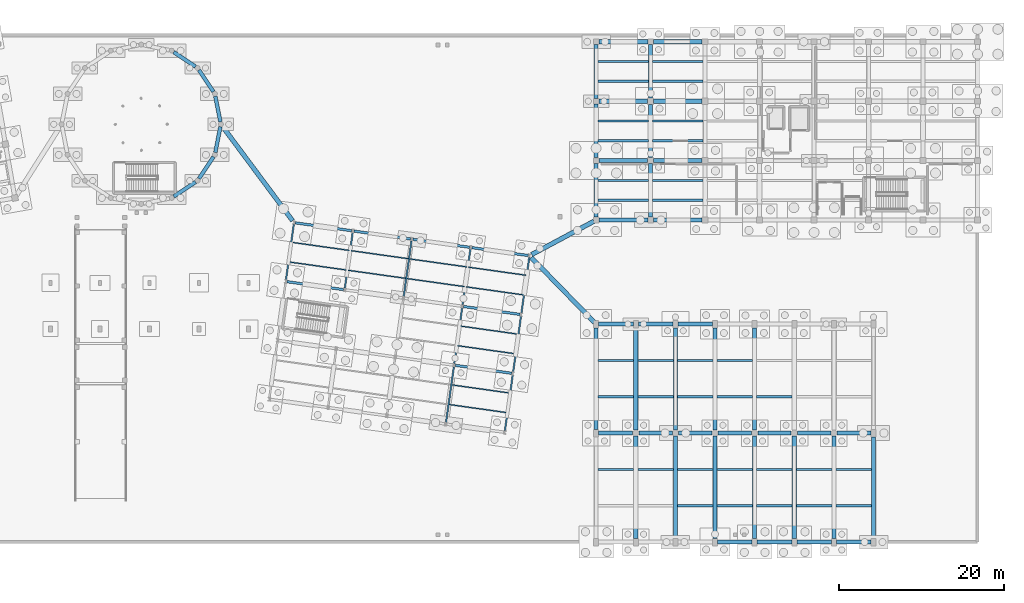
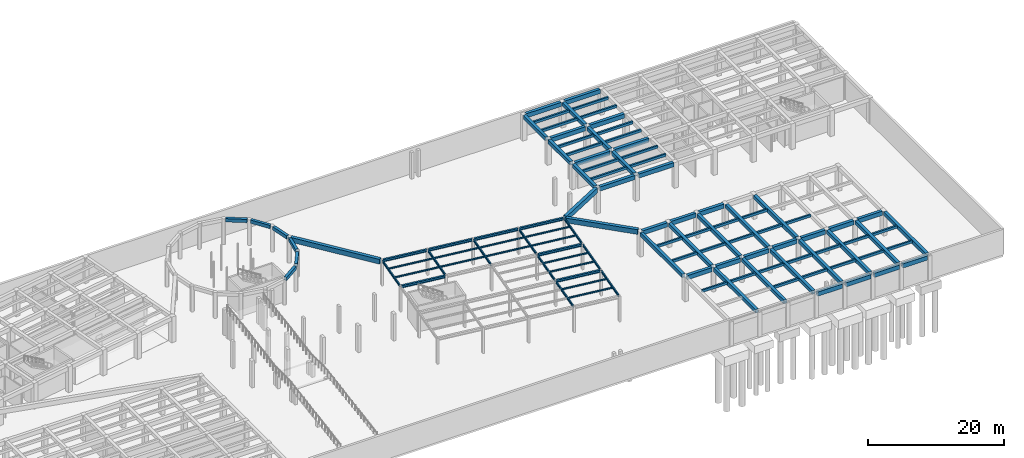
# One storey, part 19 of 34: 110 beams.
"""IFC4 building model written with IfcOpenShell, lengths in metres."""

from ifc_helpers import new_model, si_unit, direction, frame, origin, origin_2d, place, context, subcontext, project, spatial, rectangle, i_section, extrude, material, material_profile, profile_set, type_object, element, save


model = new_model("IFC4")

# Units and contexts
model_context = context("Model", 3, precision=1e-05, world=origin(), true_north=direction((0.0, 1.0)))
body_context = subcontext(model_context, "Body", "Model", "MODEL_VIEW")
ifc_project = project(units=[si_unit("LENGTHUNIT", "METRE"), si_unit("AREAUNIT", "SQUARE_METRE"), si_unit("VOLUMEUNIT", "CUBIC_METRE"), si_unit("PLANEANGLEUNIT", "RADIAN"), si_unit("MASSUNIT", "GRAM", prefix="KILO")], contexts=[model_context])

# Site, building, storey
site_placement = place(None, origin())
site = spatial("IfcSite", under=ifc_project, at=site_placement, CompositionType="ELEMENT")
building_placement = place(site_placement, origin())
building = spatial("IfcBuilding", under=site, at=building_placement, Name="Kharisveld Research Institute", CompositionType="ELEMENT")
storey_placement = place(building_placement, frame((0.0, 0.0, -4.800048828125)))
storey = spatial("IfcBuildingStorey", under=building, at=storey_placement, Name="B1", CompositionType="ELEMENT", Elevation=-4.800048828125)

# Beams
ifc_material_1 = material(Name="Concrete C40/50", Category="concrete")
ifc_material_profile_1 = material_profile(ifc_material_1, rectangle(XDim=0.449951171875, YDim=0.60009765625, at=origin_2d()))
ifc_profile_set_1 = profile_set([ifc_material_profile_1], Name="Concrete C40/50")
beam_type_1 = type_object("IfcBeamType", Name="BM_RC_450x600", PredefinedType="BEAM", material=ifc_profile_set_1)
beam_1_placement = place(storey_placement, frame((69.091552734375, 51.09423828125, 4.320068359375), z_axis=(-0.1951370888, 0.980775976752, 0.0), x_axis=(-0.980775976752, -0.1951370888, 0.0)))
element("IfcBeam", 1, at=beam_1_placement, inside=storey, type_object=beam_type_1, Name="BM:V6:B1:RING00", PredefinedType="BEAM", context=body_context, shape_type="SweptSolid", body=[
    extrude(rectangle(XDim=0.449951171875, YDim=0.60009765625, at=origin_2d()), origin(), (0.0, 0.0, 1.0), 3.165283203125),
])
beam_2_placement = place(storey_placement, frame((68.248779296875, 54.742431640625, 4.320068359375), z_axis=(-0.555607692678, 0.831444581338, 0.0), x_axis=(-0.831444581338, -0.555607692678, 0.0)))
element("IfcBeam", 2, at=beam_2_placement, inside=storey, type_object=beam_type_1, Name="BM:V6:B1:RING01", PredefinedType="BEAM", context=body_context, shape_type="SweptSolid", body=[
    extrude(rectangle(XDim=0.449951171875, YDim=0.60009765625, at=origin_2d()), origin(), (0.0, 0.0, 1.0), 3.1650390625),
])
for number, where, z_axis, x_axis, name in (
    (3, (66.07421875, 57.790283203125, 4.320068359375), (-0.831468390799, 0.555572061125, 0.0), (-0.555572061125, -0.831468390799, 0.0), "BM:V6:B1:RING02"),
    (4, (63.4423828125, 42.05126953125, 4.320068359375), (0.831468390799, 0.555572061125, 0.0), (-0.555572061125, 0.831468390799, 0.0), "BM:V6:B1:RING13"),
    (5, (66.490234375, 44.225830078125, 4.320068359375), (0.555572061125, 0.831468390799, 0.0), (-0.831468390799, 0.555572061125, 0.0), "BM:V6:B1:RING14"),
    (6, (68.473876953125, 47.4013671875, 4.320068359375), (0.1951370888, 0.980775976752, 0.0), (-0.980775976752, 0.1951370888, 0.0), "BM:V6:B1:RING15"),
):
    element("IfcBeam", number, at=place(storey_placement, frame(where, z_axis=z_axis, x_axis=x_axis)), inside=storey, type_object=beam_type_1, Name=name, PredefinedType="BEAM", context=body_context, shape_type="SweptSolid", body=[
        extrude(rectangle(XDim=0.449951171875, YDim=0.60009765625, at=origin_2d()), origin(), (0.0, 0.0, 1.0), 3.165283203125),
    ])
ifc_material_2 = material(Name="Concrete C40/50", Category="concrete")
ifc_material_profile_2 = material_profile(ifc_material_2, rectangle(XDim=0.5, YDim=0.64990234375, at=origin_2d()))
ifc_profile_set_2 = profile_set([ifc_material_profile_2], Name="Concrete C40/50")
beam_type_2 = type_object("IfcBeamType", Name="BM_RC_500x650", PredefinedType="BEAM", material=ifc_profile_set_2)
for number, where, z_axis, x_axis, name in (
    (7, (114.60009765625, 39.550048828125, 4.26513671875), (0.0, 1.0, 0.0), (-1.0, 0.0, 0.0), "BM:V2:B1:V0_0"),
    (8, (114.60009765625, 46.75, 4.26513671875), (0.0, 1.0, 0.0), (-1.0, 0.0, 0.0), "BM:V2:B1:V0_1"),
    (9, (114.60009765625, 53.949951171875, 4.26513671875), (0.0, 1.0, 0.0), (-1.0, 0.0, 0.0), "BM:V2:B1:V0_2"),
):
    element("IfcBeam", number, at=place(storey_placement, frame(where, z_axis=z_axis, x_axis=x_axis)), inside=storey, type_object=beam_type_2, Name=name, PredefinedType="BEAM", context=body_context, shape_type="SweptSolid", body=[
        extrude(rectangle(XDim=0.5, YDim=0.64990234375, at=origin_2d()), origin(), (0.0, 0.0, 1.0), 6.5),
    ])
beam_3_placement = place(storey_placement, frame((121.199951171875, 39.550048828125, 4.26513671875), z_axis=(0.0, 1.0, 0.0), x_axis=(-1.0, 0.0, 0.0)))
element("IfcBeam", 10, at=beam_3_placement, inside=storey, type_object=beam_type_2, Name="BM:V2:B1:V1_0", PredefinedType="BEAM", context=body_context, shape_type="SweptSolid", body=[
    extrude(rectangle(XDim=0.5, YDim=0.64990234375, at=origin_2d()), origin(), (0.0, 0.0, 1.0), 6.474853515625),
])
beam_4_placement = place(storey_placement, frame((121.199951171875, 46.77490234375, 4.26513671875), z_axis=(0.0, 1.0, 0.0), x_axis=(-1.0, 0.0, 0.0)))
element("IfcBeam", 11, at=beam_4_placement, inside=storey, type_object=beam_type_2, Name="BM:V2:B1:V1_1", PredefinedType="BEAM", context=body_context, shape_type="SweptSolid", body=[
    extrude(rectangle(XDim=0.5, YDim=0.64990234375, at=origin_2d()), origin(), (0.0, 0.0, 1.0), 6.4501953125),
])
beam_5_placement = place(storey_placement, frame((121.199951171875, 53.97509765625, 4.26513671875), z_axis=(0.0, 1.0, 0.0), x_axis=(-1.0, 0.0, 0.0)))
element("IfcBeam", 12, at=beam_5_placement, inside=storey, type_object=beam_type_2, Name="BM:V2:B1:V1_2", PredefinedType="BEAM", context=body_context, shape_type="SweptSolid", body=[
    extrude(rectangle(XDim=0.5, YDim=0.64990234375, at=origin_2d()), origin(), (0.0, 0.0, 1.0), 6.474853515625),
])
beam_6_placement = place(storey_placement, frame((114.60009765625, 13.85009765625, 4.054931640625), z_axis=(0.0, 1.0, 0.0), x_axis=(-1.0, 0.0, 0.0)))
element("IfcBeam", 13, at=beam_6_placement, inside=storey, type_object=beam_type_2, Name="BM:V5:B1:V0_1", PredefinedType="BEAM", context=body_context, shape_type="SweptSolid", body=[
    extrude(rectangle(XDim=0.5, YDim=0.64990234375, at=origin_2d()), origin(), (0.0, 0.0, 1.0), 12.2998046875),
])
for number, where, z_axis, x_axis, name in (
    (14, (119.39990234375, 0.64990234375, 4.054931640625), (0.0, 1.0, 0.0), (-1.0, 0.0, 0.0), "BM:V5:B1:V1_0"),
    (15, (119.39990234375, 13.77490234375, 4.054931640625), (0.0, 1.0, 0.0), (-1.0, 0.0, 0.0), "BM:V5:B1:V1_1"),
    (16, (124.199951171875, 0.64990234375, 4.054931640625), (0.0, 1.0, 0.0), (-1.0, 0.0, 0.0), "BM:V5:B1:V2_0"),
    (17, (124.199951171875, 13.77490234375, 4.054931640625), (0.0, 1.0, 0.0), (-1.0, 0.0, 0.0), "BM:V5:B1:V2_1"),
    (18, (129.0, 0.64990234375, 4.054931640625), (0.0, 1.0, 0.0), (-1.0, 0.0, 0.0), "BM:V5:B1:V3_0"),
    (19, (129.0, 13.77490234375, 4.054931640625), (0.0, 1.0, 0.0), (-1.0, 0.0, 0.0), "BM:V5:B1:V3_1"),
    (20, (133.800048828125, 0.64990234375, 4.054931640625), (0.0, 1.0, 0.0), (-1.0, 0.0, 0.0), "BM:V5:B1:V4_0"),
    (21, (133.800048828125, 13.77490234375, 4.054931640625), (0.0, 1.0, 0.0), (-1.0, 0.0, 0.0), "BM:V5:B1:V4_1"),
    (22, (138.60009765625, 0.64990234375, 4.054931640625), (0.0, 1.0, 0.0), (-1.0, 0.0, 0.0), "BM:V5:B1:V5_0"),
    (23, (143.39990234375, 0.64990234375, 4.054931640625), (0.0, 1.0, 0.0), (-1.0, 0.0, 0.0), "BM:V5:B1:V6_0"),
):
    element("IfcBeam", number, at=place(storey_placement, frame(where, z_axis=z_axis, x_axis=x_axis)), inside=storey, type_object=beam_type_2, Name=name, PredefinedType="BEAM", context=body_context, shape_type="SweptSolid", body=[
        extrude(rectangle(XDim=0.5, YDim=0.64990234375, at=origin_2d()), origin(), (0.0, 0.0, 1.0), 12.375),
    ])
beam_7_placement = place(storey_placement, frame((148.199951171875, 0.64990234375, 4.054931640625), z_axis=(0.0, 1.0, 0.0), x_axis=(-1.0, 0.0, 0.0)))
element("IfcBeam", 24, at=beam_7_placement, inside=storey, type_object=beam_type_2, Name="BM:V5:B1:V7_0", PredefinedType="BEAM", context=body_context, shape_type="SweptSolid", body=[
    extrude(rectangle(XDim=0.5, YDim=0.64990234375, at=origin_2d()), origin(), (0.0, 0.0, 1.0), 12.300048828125),
])
ifc_material_3 = material(Name="Concrete C40/50", Category="concrete")
ifc_material_profile_3 = material_profile(ifc_material_3, rectangle(XDim=0.5, YDim=0.75, at=origin_2d()))
ifc_profile_set_3 = profile_set([ifc_material_profile_3], Name="Concrete C40/50")
beam_type_3 = type_object("IfcBeamType", Name="BM_RC_500x750", PredefinedType="BEAM", material=ifc_profile_set_3)
beam_8_placement = place(storey_placement, frame((114.949951171875, 39.199951171875, 4.215087890625), z_axis=(1.0, 0.0, 0.0), x_axis=(0.0, 1.0, 0.0)))
element("IfcBeam", 25, at=beam_8_placement, inside=storey, type_object=beam_type_3, Name="BM:V2:B1:U0_0", PredefinedType="BEAM", context=body_context, shape_type="SweptSolid", body=[
    extrude(rectangle(XDim=0.5, YDim=0.75, at=origin_2d()), origin(), (0.0, 0.0, 1.0), 5.900146484375),
])
beam_9_placement = place(storey_placement, frame((121.550048828125, 39.199951171875, 4.215087890625), z_axis=(1.0, 0.0, 0.0), x_axis=(0.0, 1.0, 0.0)))
element("IfcBeam", 26, at=beam_9_placement, inside=storey, type_object=beam_type_3, Name="BM:V2:B1:U1_0", PredefinedType="BEAM", context=body_context, shape_type="SweptSolid", body=[
    extrude(rectangle(XDim=0.5, YDim=0.75, at=origin_2d()), origin(), (0.0, 0.0, 1.0), 5.89990234375),
])
beam_10_placement = place(storey_placement, frame((114.949951171875, 46.39990234375, 4.215087890625), z_axis=(1.0, 0.0, 0.0), x_axis=(0.0, 1.0, 0.0)))
element("IfcBeam", 27, at=beam_10_placement, inside=storey, type_object=beam_type_3, Name="BM:V2:B1:U0_1", PredefinedType="BEAM", context=body_context, shape_type="SweptSolid", body=[
    extrude(rectangle(XDim=0.5, YDim=0.75, at=origin_2d()), origin(), (0.0, 0.0, 1.0), 5.875),
])
beam_11_placement = place(storey_placement, frame((121.574951171875, 46.39990234375, 4.215087890625), z_axis=(1.0, 0.0, 0.0), x_axis=(0.0, 1.0, 0.0)))
element("IfcBeam", 28, at=beam_11_placement, inside=storey, type_object=beam_type_3, Name="BM:V2:B1:U1_1", PredefinedType="BEAM", context=body_context, shape_type="SweptSolid", body=[
    extrude(rectangle(XDim=0.5, YDim=0.75, at=origin_2d()), origin(), (0.0, 0.0, 1.0), 5.85009765625),
])
beam_12_placement = place(storey_placement, frame((114.949951171875, 53.60009765625, 4.215087890625), z_axis=(1.0, 0.0, 0.0), x_axis=(0.0, 1.0, 0.0)))
element("IfcBeam", 29, at=beam_12_placement, inside=storey, type_object=beam_type_3, Name="BM:V2:B1:U0_2", PredefinedType="BEAM", context=body_context, shape_type="SweptSolid", body=[
    extrude(rectangle(XDim=0.5, YDim=0.75, at=origin_2d()), origin(), (0.0, 0.0, 1.0), 5.875),
])
beam_13_placement = place(storey_placement, frame((121.574951171875, 53.60009765625, 4.215087890625), z_axis=(1.0, 0.0, 0.0), x_axis=(0.0, 1.0, 0.0)))
element("IfcBeam", 30, at=beam_13_placement, inside=storey, type_object=beam_type_3, Name="BM:V2:B1:U1_2", PredefinedType="BEAM", context=body_context, shape_type="SweptSolid", body=[
    extrude(rectangle(XDim=0.5, YDim=0.75, at=origin_2d()), origin(), (0.0, 0.0, 1.0), 5.85009765625),
])
beam_14_placement = place(storey_placement, frame((114.949951171875, 60.800048828125, 4.215087890625), z_axis=(1.0, 0.0, 0.0), x_axis=(0.0, 1.0, 0.0)))
element("IfcBeam", 31, at=beam_14_placement, inside=storey, type_object=beam_type_3, Name="BM:V2:B1:U0_3", PredefinedType="BEAM", context=body_context, shape_type="SweptSolid", body=[
    extrude(rectangle(XDim=0.5, YDim=0.75, at=origin_2d()), origin(), (0.0, 0.0, 1.0), 5.900146484375),
])
beam_15_placement = place(storey_placement, frame((121.550048828125, 60.800048828125, 4.215087890625), z_axis=(1.0, 0.0, 0.0), x_axis=(0.0, 1.0, 0.0)))
element("IfcBeam", 32, at=beam_15_placement, inside=storey, type_object=beam_type_3, Name="BM:V2:B1:U1_3", PredefinedType="BEAM", context=body_context, shape_type="SweptSolid", body=[
    extrude(rectangle(XDim=0.5, YDim=0.75, at=origin_2d()), origin(), (0.0, 0.0, 1.0), 5.89990234375),
])
for number, where, z_axis, x_axis, name in (
    (33, (129.300048828125, 0.199951171875, 4.005126953125), (1.0, 0.0, 0.0), (0.0, 1.0, 0.0), "BM:V5:B1:U3_0"),
    (34, (134.10009765625, 0.199951171875, 4.005126953125), (1.0, 0.0, 0.0), (0.0, 1.0, 0.0), "BM:V5:B1:U4_0"),
):
    element("IfcBeam", number, at=place(storey_placement, frame(where, z_axis=z_axis, x_axis=x_axis)), inside=storey, type_object=beam_type_3, Name=name, PredefinedType="BEAM", context=body_context, shape_type="SweptSolid", body=[
        extrude(rectangle(XDim=0.5, YDim=0.75, at=origin_2d()), origin(), (0.0, 0.0, 1.0), 4.199951171875),
    ])
beam_16_placement = place(storey_placement, frame((138.89990234375, 0.199951171875, 4.005126953125), z_axis=(1.0, 0.0, 0.0), x_axis=(0.0, 1.0, 0.0)))
element("IfcBeam", 35, at=beam_16_placement, inside=storey, type_object=beam_type_3, Name="BM:V5:B1:U5_0", PredefinedType="BEAM", context=body_context, shape_type="SweptSolid", body=[
    extrude(rectangle(XDim=0.5, YDim=0.75, at=origin_2d()), origin(), (0.0, 0.0, 1.0), 4.2001953125),
])
beam_17_placement = place(storey_placement, frame((143.699951171875, 0.199951171875, 4.005126953125), z_axis=(1.0, 0.0, 0.0), x_axis=(0.0, 1.0, 0.0)))
element("IfcBeam", 36, at=beam_17_placement, inside=storey, type_object=beam_type_3, Name="BM:V5:B1:U6_0", PredefinedType="BEAM", context=body_context, shape_type="SweptSolid", body=[
    extrude(rectangle(XDim=0.5, YDim=0.75, at=origin_2d()), origin(), (0.0, 0.0, 1.0), 4.199951171875),
])
beam_18_placement = place(storey_placement, frame((114.89990234375, 13.39990234375, 4.005126953125), z_axis=(1.0, 0.0, 0.0), x_axis=(0.0, 1.0, 0.0)))
element("IfcBeam", 37, at=beam_18_placement, inside=storey, type_object=beam_type_3, Name="BM:V5:B1:U0_1", PredefinedType="BEAM", context=body_context, shape_type="SweptSolid", body=[
    extrude(rectangle(XDim=0.5, YDim=0.75, at=origin_2d()), origin(), (0.0, 0.0, 1.0), 4.125),
])
for number, where, z_axis, x_axis, name in (
    (38, (119.77490234375, 13.39990234375, 4.005126953125), (1.0, 0.0, 0.0), (0.0, 1.0, 0.0), "BM:V5:B1:U1_1"),
    (39, (124.574951171875, 13.39990234375, 4.005126953125), (1.0, 0.0, 0.0), (0.0, 1.0, 0.0), "BM:V5:B1:U2_1"),
    (40, (129.375, 13.39990234375, 4.005126953125), (1.0, 0.0, 0.0), (0.0, 1.0, 0.0), "BM:V5:B1:U3_1"),
    (41, (134.175048828125, 13.39990234375, 4.005126953125), (1.0, 0.0, 0.0), (0.0, 1.0, 0.0), "BM:V5:B1:U4_1"),
):
    element("IfcBeam", number, at=place(storey_placement, frame(where, z_axis=z_axis, x_axis=x_axis)), inside=storey, type_object=beam_type_3, Name=name, PredefinedType="BEAM", context=body_context, shape_type="SweptSolid", body=[
        extrude(rectangle(XDim=0.5, YDim=0.75, at=origin_2d()), origin(), (0.0, 0.0, 1.0), 4.050048828125),
    ])
beam_19_placement = place(storey_placement, frame((138.97509765625, 13.39990234375, 4.005126953125), z_axis=(1.0, 0.0, 0.0), x_axis=(0.0, 1.0, 0.0)))
element("IfcBeam", 42, at=beam_19_placement, inside=storey, type_object=beam_type_3, Name="BM:V5:B1:U5_1", PredefinedType="BEAM", context=body_context, shape_type="SweptSolid", body=[
    extrude(rectangle(XDim=0.5, YDim=0.75, at=origin_2d()), origin(), (0.0, 0.0, 1.0), 4.0498046875),
])
beam_20_placement = place(storey_placement, frame((143.77490234375, 13.39990234375, 4.005126953125), z_axis=(1.0, 0.0, 0.0), x_axis=(0.0, 1.0, 0.0)))
element("IfcBeam", 43, at=beam_20_placement, inside=storey, type_object=beam_type_3, Name="BM:V5:B1:U6_1", PredefinedType="BEAM", context=body_context, shape_type="SweptSolid", body=[
    extrude(rectangle(XDim=0.5, YDim=0.75, at=origin_2d()), origin(), (0.0, 0.0, 1.0), 4.125),
])
beam_21_placement = place(storey_placement, frame((114.89990234375, 26.60009765625, 4.005126953125), z_axis=(1.0, 0.0, 0.0), x_axis=(0.0, 1.0, 0.0)))
element("IfcBeam", 44, at=beam_21_placement, inside=storey, type_object=beam_type_3, Name="BM:V5:B1:U0_2", PredefinedType="BEAM", context=body_context, shape_type="SweptSolid", body=[
    extrude(rectangle(XDim=0.5, YDim=0.75, at=origin_2d()), origin(), (0.0, 0.0, 1.0), 4.2001953125),
])
for number, where, z_axis, x_axis, name in (
    (45, (119.699951171875, 26.60009765625, 4.005126953125), (1.0, 0.0, 0.0), (0.0, 1.0, 0.0), "BM:V5:B1:U1_2"),
    (46, (124.5, 26.60009765625, 4.005126953125), (1.0, 0.0, 0.0), (0.0, 1.0, 0.0), "BM:V5:B1:U2_2"),
):
    element("IfcBeam", number, at=place(storey_placement, frame(where, z_axis=z_axis, x_axis=x_axis)), inside=storey, type_object=beam_type_3, Name=name, PredefinedType="BEAM", context=body_context, shape_type="SweptSolid", body=[
        extrude(rectangle(XDim=0.5, YDim=0.75, at=origin_2d()), origin(), (0.0, 0.0, 1.0), 4.199951171875),
    ])
ifc_material_4 = material(Name="Concrete C40/50", Category="concrete")
ifc_material_profile_4 = material_profile(ifc_material_4, rectangle(XDim=0.550048828125, YDim=0.85009765625, at=origin_2d()))
ifc_profile_set_4 = profile_set([ifc_material_profile_4], Name="Concrete C40/50")
beam_type_4 = type_object("IfcBeamType", Name="BM_RC_550x850", PredefinedType="BEAM", material=ifc_profile_set_4)
beam_22_placement = place(storey_placement, frame((69.3291015625, 50.559326171875, 4.25), z_axis=(0.596692576658, -0.802469917792, 0.0), x_axis=(0.802469917792, 0.596692576658, 0.0)))
element("IfcBeam", 47, at=beam_22_placement, inside=storey, type_object=beam_type_4, Name="BM:B1:TIE_V6_V4", PredefinedType="BEAM", context=body_context, shape_type="SweptSolid", body=[
    extrude(rectangle(XDim=0.550048828125, YDim=0.85009765625, at=origin_2d()), origin(), (0.0, 0.0, 1.0), 14.241943359375),
])
beam_23_placement = place(storey_placement, frame((106.790283203125, 35.023193359375, 4.25), z_axis=(0.881803407073, 0.471617166009, 0.0), x_axis=(-0.471617166009, 0.881803407073, 0.0)))
element("IfcBeam", 48, at=beam_23_placement, inside=storey, type_object=beam_type_4, Name="BM:B1:TIE_V4_V2", PredefinedType="BEAM", context=body_context, shape_type="SweptSolid", body=[
    extrude(rectangle(XDim=0.550048828125, YDim=0.85009765625, at=origin_2d()), origin(), (0.0, 0.0, 1.0), 8.556396484375),
])
beam_24_placement = place(storey_placement, frame((106.7353515625, 34.666748046875, 4.25), z_axis=(0.698077879949, -0.716021838721, 0.0), x_axis=(0.716021838721, 0.698077879949, 0.0)))
element("IfcBeam", 49, at=beam_24_placement, inside=storey, type_object=beam_type_4, Name="BM:B1:TIE_V4_V5", PredefinedType="BEAM", context=body_context, shape_type="SweptSolid", body=[
    extrude(rectangle(XDim=0.550048828125, YDim=0.85009765625, at=origin_2d()), origin(), (0.0, 0.0, 1.0), 10.96630859375),
])
ifc_material_5 = material(Name="Steel S355JR", Category="steel")
ifc_material_profile_5 = material_profile(ifc_material_5, i_section(OverallWidth=0.300048828125, OverallDepth=0.43994140625, WebThickness=0.011474609375, FlangeThickness=0.02099609375, at=origin_2d()))
ifc_profile_set_5 = profile_set([ifc_material_profile_5], Name="Steel S355JR")
beam_type_5 = type_object("IfcBeamType", Name="BM_ST_HEA450", PredefinedType="BEAM", material=ifc_profile_set_5)
for number, where, z_axis, x_axis, name in (
    (50, (97.540283203125, 21.60302734375, 4.39013671875), (0.99026542017, -0.139191945225, 0.0), (0.139191945225, 0.99026542017, 0.0), "BM:V4:B1:U3_1"),
    (51, (77.152587890625, 31.739013671875, 4.39013671875), (0.990270296504, -0.139157248683, 0.0), (0.139157248683, 0.990270296504, 0.0), "BM:V4:B1:U0_2"),
):
    element("IfcBeam", number, at=place(storey_placement, frame(where, z_axis=z_axis, x_axis=x_axis)), inside=storey, type_object=beam_type_5, Name=name, PredefinedType="BEAM", context=body_context, shape_type="SweptSolid", body=[
        extrude(i_section(OverallWidth=0.300048828125, OverallDepth=0.43994140625, WebThickness=0.011474609375, FlangeThickness=0.02099609375, at=origin_2d()), origin(), (0.0, 0.0, 1.0), 6.900146484375),
    ])
for number, where, z_axis, x_axis, name in (
    (52, (98.54248046875, 28.73291015625, 4.39013671875), (0.990264734633, -0.139196822312, 0.0), (0.139196822312, 0.990264734633, 0.0), "BM:V4:B1:U3_2"),
    (53, (78.15478515625, 38.868896484375, 4.39013671875), (0.990269611306, -0.139162124603, 0.0), (0.139162124603, 0.990269611306, 0.0), "BM:V4:B1:U0_3"),
    (54, (85.28466796875, 37.866943359375, 4.39013671875), (0.990264734633, -0.139196822312, 0.0), (0.139196822312, 0.990264734633, 0.0), "BM:V4:B1:U1_3"),
    (55, (92.41455078125, 36.86474609375, 4.39013671875), (0.990269611306, -0.139162124603, 0.0), (0.139162124603, 0.990269611306, 0.0), "BM:V4:B1:U2_3"),
    (56, (99.54443359375, 35.86279296875, 4.39013671875), (0.990269611306, -0.139162124603, 0.0), (0.139162124603, 0.990269611306, 0.0), "BM:V4:B1:U3_3"),
):
    element("IfcBeam", number, at=place(storey_placement, frame(where, z_axis=z_axis, x_axis=x_axis)), inside=storey, type_object=beam_type_5, Name=name, PredefinedType="BEAM", context=body_context, shape_type="SweptSolid", body=[
        extrude(i_section(OverallWidth=0.300048828125, OverallDepth=0.43994140625, WebThickness=0.011474609375, FlangeThickness=0.02099609375, at=origin_2d()), origin(), (0.0, 0.0, 1.0), 6.89990234375),
    ])
ifc_material_6 = material(Name="Steel S355JR", Category="steel")
ifc_material_profile_6 = material_profile(ifc_material_6, i_section(OverallWidth=0.179931640625, OverallDepth=0.39990234375, WebThickness=0.008544921875, FlangeThickness=0.013427734375, at=origin_2d()))
ifc_profile_set_6 = profile_set([ifc_material_profile_6], Name="Steel S355JR")
beam_type_6 = type_object("IfcBeamType", Name="BM_ST_IPE400", PredefinedType="BEAM", material=ifc_profile_set_6)
beam_25_placement = place(storey_placement, frame((77.031982421875, 31.9580078125, 4.41015625), z_axis=(0.139164060724, 0.990269339222, 0.0), x_axis=(-0.990269339222, 0.139164060724, 0.0)))
element("IfcBeam", 57, at=beam_25_placement, inside=storey, type_object=beam_type_6, Name="BM:V4:B1:V0_2", PredefinedType="BEAM", context=body_context, shape_type="SweptSolid", body=[
    extrude(i_section(OverallWidth=0.179931640625, OverallDepth=0.39990234375, WebThickness=0.008544921875, FlangeThickness=0.013427734375, at=origin_2d()), origin(), (0.0, 0.0, 1.0), 6.7998046875),
])
for number, where, z_axis, x_axis, name in (
    (58, (84.161865234375, 30.955810546875, 4.41015625), (0.139159112966, 0.990270034525, 0.0), (-0.990270034525, 0.139159112966, 0.0), "BM:V4:B1:V1_2"),
    (59, (91.291748046875, 29.953857421875, 4.41015625), (0.139194320199, 0.99026508634, 0.0), (-0.99026508634, 0.139194320199, 0.0), "BM:V4:B1:V2_2"),
    (60, (96.417724609375, 14.69189453125, 4.41015625), (0.139159112966, 0.990270034525, 0.0), (-0.990270034525, 0.139159112966, 0.0), "BM:V4:B1:V3_0"),
    (61, (97.419677734375, 21.82177734375, 4.41015625), (0.139159112966, 0.990270034525, 0.0), (-0.990270034525, 0.139159112966, 0.0), "BM:V4:B1:V3_1"),
    (62, (98.421630859375, 28.95166015625, 4.41015625), (0.139194320199, 0.99026508634, 0.0), (-0.99026508634, 0.139194320199, 0.0), "BM:V4:B1:V3_2"),
):
    element("IfcBeam", number, at=place(storey_placement, frame(where, z_axis=z_axis, x_axis=x_axis)), inside=storey, type_object=beam_type_6, Name=name, PredefinedType="BEAM", context=body_context, shape_type="SweptSolid", body=[
        extrude(i_section(OverallWidth=0.179931640625, OverallDepth=0.39990234375, WebThickness=0.008544921875, FlangeThickness=0.013427734375, at=origin_2d()), origin(), (0.0, 0.0, 1.0), 6.800048828125),
    ])
beam_26_placement = place(storey_placement, frame((103.547607421875, 13.68994140625, 4.41015625), z_axis=(0.139164060724, 0.990269339222, 0.0), x_axis=(-0.990269339222, 0.139164060724, 0.0)))
element("IfcBeam", 63, at=beam_26_placement, inside=storey, type_object=beam_type_6, Name="BM:V4:B1:V4_0", PredefinedType="BEAM", context=body_context, shape_type="SweptSolid", body=[
    extrude(i_section(OverallWidth=0.179931640625, OverallDepth=0.39990234375, WebThickness=0.008544921875, FlangeThickness=0.013427734375, at=origin_2d()), origin(), (0.0, 0.0, 1.0), 6.7998046875),
])
for number, where, z_axis, x_axis, name in (
    (64, (104.549560546875, 20.81982421875, 4.41015625), (0.139194320199, 0.99026508634, 0.0), (-0.99026508634, 0.139194320199, 0.0), "BM:V4:B1:V4_1"),
    (65, (105.5517578125, 27.94970703125, 4.41015625), (0.139159112966, 0.990270034525, 0.0), (-0.990270034525, 0.139159112966, 0.0), "BM:V4:B1:V4_2"),
):
    element("IfcBeam", number, at=place(storey_placement, frame(where, z_axis=z_axis, x_axis=x_axis)), inside=storey, type_object=beam_type_6, Name=name, PredefinedType="BEAM", context=body_context, shape_type="SweptSolid", body=[
        extrude(i_section(OverallWidth=0.179931640625, OverallDepth=0.39990234375, WebThickness=0.008544921875, FlangeThickness=0.013427734375, at=origin_2d()), origin(), (0.0, 0.0, 1.0), 6.800048828125),
    ])
ifc_material_7 = material(Name="Steel S355JR", Category="steel")
ifc_material_profile_7 = material_profile(ifc_material_7, i_section(OverallWidth=0.135009765625, OverallDepth=0.27001953125, WebThickness=0.006591796875, FlangeThickness=0.01025390625, at=origin_2d()))
ifc_profile_set_7 = profile_set([ifc_material_profile_7], Name="Steel S355JR")
beam_type_7 = type_object("IfcBeamType", Name="JS_ST_IPE270", PredefinedType="JOIST", material=ifc_profile_set_7)
for number, where, z_axis, x_axis, name in (
    (66, (77.42724609375, 34.1240234375, 4.47509765625), (0.990266917069, -0.139181295291, 0.0), (0.139181295291, 0.990266917069, 0.0), "BM:V4:B1:J_0_2_R1"),
    (67, (77.76123046875, 36.500732421875, 4.47509765625), (0.990266917069, -0.139181295291, 0.0), (0.139181295291, 0.990266917069, 0.0), "BM:V4:B1:J_0_2_R2"),
    (68, (84.55712890625, 33.121826171875, 4.47509765625), (0.99027170983, -0.139147190807, 0.0), (0.139147190807, 0.99027170983, 0.0), "BM:V4:B1:J_1_2_R1"),
    (69, (84.89111328125, 35.49853515625, 4.47509765625), (0.990266917069, -0.139181295291, 0.0), (0.139181295291, 0.990266917069, 0.0), "BM:V4:B1:J_1_2_R2"),
    (70, (91.68701171875, 32.119873046875, 4.47509765625), (0.990266917069, -0.139181295291, 0.0), (0.139181295291, 0.990266917069, 0.0), "BM:V4:B1:J_2_2_R1"),
):
    element("IfcBeam", number, at=place(storey_placement, frame(where, z_axis=z_axis, x_axis=x_axis)), inside=storey, type_object=beam_type_7, Name=name, PredefinedType="JOIST", context=body_context, shape_type="SweptSolid", body=[
        extrude(i_section(OverallWidth=0.135009765625, OverallDepth=0.27001953125, WebThickness=0.006591796875, FlangeThickness=0.01025390625, at=origin_2d()), origin(), (0.0, 0.0, 1.0), 7.02001953125),
    ])
beam_27_placement = place(storey_placement, frame((92.02099609375, 34.49658203125, 4.47509765625), z_axis=(0.990267590733, -0.139176502129, 0.0), x_axis=(0.139176502129, 0.990267590733, 0.0)))
element("IfcBeam", 71, at=beam_27_placement, inside=storey, type_object=beam_type_7, Name="BM:V4:B1:J_2_2_R2", PredefinedType="JOIST", context=body_context, shape_type="SweptSolid", body=[
    extrude(i_section(OverallWidth=0.135009765625, OverallDepth=0.27001953125, WebThickness=0.006591796875, FlangeThickness=0.01025390625, at=origin_2d()), origin(), (0.0, 0.0, 1.0), 7.020263671875),
])
for number, where, z_axis, x_axis, name in (
    (72, (96.81298828125, 16.85791015625, 4.47509765625), (0.99027170983, -0.139147190807, 0.0), (0.139147190807, 0.99027170983, 0.0), "BM:V4:B1:J_3_0_R1"),
    (73, (97.14697265625, 19.234619140625, 4.47509765625), (0.990266917069, -0.139181295291, 0.0), (0.139181295291, 0.990266917069, 0.0), "BM:V4:B1:J_3_0_R2"),
    (74, (97.81494140625, 23.98779296875, 4.47509765625), (0.99027170983, -0.139147190807, 0.0), (0.139147190807, 0.99027170983, 0.0), "BM:V4:B1:J_3_1_R1"),
    (75, (98.14892578125, 26.364501953125, 4.47509765625), (0.990266917069, -0.139181295291, 0.0), (0.139181295291, 0.990266917069, 0.0), "BM:V4:B1:J_3_1_R2"),
    (76, (98.817138671875, 31.117919921875, 4.47509765625), (0.990266917069, -0.139181295291, 0.0), (0.139181295291, 0.990266917069, 0.0), "BM:V4:B1:J_3_2_R1"),
    (77, (99.151123046875, 33.494384765625, 4.47509765625), (0.99027170983, -0.139147190807, 0.0), (0.139147190807, 0.99027170983, 0.0), "BM:V4:B1:J_3_2_R2"),
):
    element("IfcBeam", number, at=place(storey_placement, frame(where, z_axis=z_axis, x_axis=x_axis)), inside=storey, type_object=beam_type_7, Name=name, PredefinedType="JOIST", context=body_context, shape_type="SweptSolid", body=[
        extrude(i_section(OverallWidth=0.135009765625, OverallDepth=0.27001953125, WebThickness=0.006591796875, FlangeThickness=0.01025390625, at=origin_2d()), origin(), (0.0, 0.0, 1.0), 7.02001953125),
    ])
ifc_material_8 = material(Name="Concrete C40/50", Category="concrete")
ifc_material_profile_8 = material_profile(ifc_material_8, rectangle(XDim=0.280029296875, YDim=0.449951171875, at=origin_2d()))
ifc_profile_set_8 = profile_set([ifc_material_profile_8], Name="Concrete C40/50")
beam_type_8 = type_object("IfcBeamType", Name="WB_RC_280x450", PredefinedType="JOIST", material=ifc_profile_set_8)
for number, where, z_axis, x_axis, name in (
    (78, (114.85009765625, 41.60009765625, 4.364990234375), (1.0, 0.0, 0.0), (0.0, 1.0, 0.0), "BM:V2:B1:J_0_0_R1"),
    (79, (114.85009765625, 44.0, 4.364990234375), (1.0, 0.0, 0.0), (0.0, 1.0, 0.0), "BM:V2:B1:J_0_0_R2"),
    (80, (114.85009765625, 48.800048828125, 4.364990234375), (1.0, 0.0, 0.0), (0.0, 1.0, 0.0), "BM:V2:B1:J_0_1_R1"),
    (81, (114.85009765625, 51.199951171875, 4.364990234375), (1.0, 0.0, 0.0), (0.0, 1.0, 0.0), "BM:V2:B1:J_0_1_R2"),
    (82, (114.85009765625, 56.0, 4.364990234375), (1.0, 0.0, 0.0), (0.0, 1.0, 0.0), "BM:V2:B1:J_0_2_R1"),
    (83, (114.85009765625, 58.39990234375, 4.364990234375), (1.0, 0.0, 0.0), (0.0, 1.0, 0.0), "BM:V2:B1:J_0_2_R2"),
):
    element("IfcBeam", number, at=place(storey_placement, frame(where, z_axis=z_axis, x_axis=x_axis)), inside=storey, type_object=beam_type_8, Name=name, PredefinedType="JOIST", context=body_context, shape_type="SweptSolid", body=[
        extrude(rectangle(XDim=0.280029296875, YDim=0.449951171875, at=origin_2d()), origin(), (0.0, 0.0, 1.0), 6.099853515625),
    ])
for number, where, z_axis, x_axis, name in (
    (84, (121.449951171875, 41.60009765625, 4.364990234375), (1.0, 0.0, 0.0), (0.0, 1.0, 0.0), "BM:V2:B1:J_1_0_R1"),
    (85, (121.449951171875, 44.0, 4.364990234375), (1.0, 0.0, 0.0), (0.0, 1.0, 0.0), "BM:V2:B1:J_1_0_R2"),
    (86, (121.449951171875, 48.800048828125, 4.364990234375), (1.0, 0.0, 0.0), (0.0, 1.0, 0.0), "BM:V2:B1:J_1_1_R1"),
    (87, (121.449951171875, 51.199951171875, 4.364990234375), (1.0, 0.0, 0.0), (0.0, 1.0, 0.0), "BM:V2:B1:J_1_1_R2"),
    (88, (121.449951171875, 56.0, 4.364990234375), (1.0, 0.0, 0.0), (0.0, 1.0, 0.0), "BM:V2:B1:J_1_2_R1"),
    (89, (121.449951171875, 58.39990234375, 4.364990234375), (1.0, 0.0, 0.0), (0.0, 1.0, 0.0), "BM:V2:B1:J_1_2_R2"),
):
    element("IfcBeam", number, at=place(storey_placement, frame(where, z_axis=z_axis, x_axis=x_axis)), inside=storey, type_object=beam_type_8, Name=name, PredefinedType="JOIST", context=body_context, shape_type="SweptSolid", body=[
        extrude(rectangle(XDim=0.280029296875, YDim=0.449951171875, at=origin_2d()), origin(), (0.0, 0.0, 1.0), 6.10009765625),
    ])
for number, where, z_axis, x_axis, name in (
    (90, (114.85009765625, 9.0, 4.155029296875), (1.0, 0.0, 0.0), (0.0, 1.0, 0.0), "BM:V5:B1:J_0_0_R2"),
    (91, (114.85009765625, 17.800048828125, 4.155029296875), (1.0, 0.0, 0.0), (0.0, 1.0, 0.0), "BM:V5:B1:J_0_1_R1"),
    (92, (114.85009765625, 22.199951171875, 4.155029296875), (1.0, 0.0, 0.0), (0.0, 1.0, 0.0), "BM:V5:B1:J_0_1_R2"),
):
    element("IfcBeam", number, at=place(storey_placement, frame(where, z_axis=z_axis, x_axis=x_axis)), inside=storey, type_object=beam_type_8, Name=name, PredefinedType="JOIST", context=body_context, shape_type="SweptSolid", body=[
        extrude(rectangle(XDim=0.280029296875, YDim=0.449951171875, at=origin_2d()), origin(), (0.0, 0.0, 1.0), 4.2998046875),
    ])
for number, where, z_axis, x_axis, name in (
    (93, (119.64990234375, 9.0, 4.155029296875), (1.0, 0.0, 0.0), (0.0, 1.0, 0.0), "BM:V5:B1:J_1_0_R2"),
    (94, (119.64990234375, 17.800048828125, 4.155029296875), (1.0, 0.0, 0.0), (0.0, 1.0, 0.0), "BM:V5:B1:J_1_1_R1"),
    (95, (119.64990234375, 22.199951171875, 4.155029296875), (1.0, 0.0, 0.0), (0.0, 1.0, 0.0), "BM:V5:B1:J_1_1_R2"),
    (96, (124.449951171875, 4.60009765625, 4.155029296875), (1.0, 0.0, 0.0), (0.0, 1.0, 0.0), "BM:V5:B1:J_2_0_R1"),
    (97, (124.449951171875, 9.0, 4.155029296875), (1.0, 0.0, 0.0), (0.0, 1.0, 0.0), "BM:V5:B1:J_2_0_R2"),
    (98, (124.449951171875, 17.800048828125, 4.155029296875), (1.0, 0.0, 0.0), (0.0, 1.0, 0.0), "BM:V5:B1:J_2_1_R1"),
    (99, (124.449951171875, 22.199951171875, 4.155029296875), (1.0, 0.0, 0.0), (0.0, 1.0, 0.0), "BM:V5:B1:J_2_1_R2"),
    (100, (129.25, 4.60009765625, 4.155029296875), (1.0, 0.0, 0.0), (0.0, 1.0, 0.0), "BM:V5:B1:J_3_0_R1"),
    (101, (129.25, 9.0, 4.155029296875), (1.0, 0.0, 0.0), (0.0, 1.0, 0.0), "BM:V5:B1:J_3_0_R2"),
    (102, (129.25, 17.800048828125, 4.155029296875), (1.0, 0.0, 0.0), (0.0, 1.0, 0.0), "BM:V5:B1:J_3_1_R1"),
    (103, (129.25, 22.199951171875, 4.155029296875), (1.0, 0.0, 0.0), (0.0, 1.0, 0.0), "BM:V5:B1:J_3_1_R2"),
    (104, (134.050048828125, 4.60009765625, 4.155029296875), (1.0, 0.0, 0.0), (0.0, 1.0, 0.0), "BM:V5:B1:J_4_0_R1"),
    (105, (134.050048828125, 9.0, 4.155029296875), (1.0, 0.0, 0.0), (0.0, 1.0, 0.0), "BM:V5:B1:J_4_0_R2"),
    (106, (134.050048828125, 17.800048828125, 4.155029296875), (1.0, 0.0, 0.0), (0.0, 1.0, 0.0), "BM:V5:B1:J_4_1_R1"),
):
    element("IfcBeam", number, at=place(storey_placement, frame(where, z_axis=z_axis, x_axis=x_axis)), inside=storey, type_object=beam_type_8, Name=name, PredefinedType="JOIST", context=body_context, shape_type="SweptSolid", body=[
        extrude(rectangle(XDim=0.280029296875, YDim=0.449951171875, at=origin_2d()), origin(), (0.0, 0.0, 1.0), 4.300048828125),
    ])
for number, where, z_axis, x_axis, name in (
    (107, (138.85009765625, 4.60009765625, 4.155029296875), (1.0, 0.0, 0.0), (0.0, 1.0, 0.0), "BM:V5:B1:J_5_0_R1"),
    (108, (138.85009765625, 9.0, 4.155029296875), (1.0, 0.0, 0.0), (0.0, 1.0, 0.0), "BM:V5:B1:J_5_0_R2"),
):
    element("IfcBeam", number, at=place(storey_placement, frame(where, z_axis=z_axis, x_axis=x_axis)), inside=storey, type_object=beam_type_8, Name=name, PredefinedType="JOIST", context=body_context, shape_type="SweptSolid", body=[
        extrude(rectangle(XDim=0.280029296875, YDim=0.449951171875, at=origin_2d()), origin(), (0.0, 0.0, 1.0), 4.2998046875),
    ])
for number, where, z_axis, x_axis, name in (
    (109, (143.64990234375, 4.60009765625, 4.155029296875), (1.0, 0.0, 0.0), (0.0, 1.0, 0.0), "BM:V5:B1:J_6_0_R1"),
    (110, (143.64990234375, 9.0, 4.155029296875), (1.0, 0.0, 0.0), (0.0, 1.0, 0.0), "BM:V5:B1:J_6_0_R2"),
):
    element("IfcBeam", number, at=place(storey_placement, frame(where, z_axis=z_axis, x_axis=x_axis)), inside=storey, type_object=beam_type_8, Name=name, PredefinedType="JOIST", context=body_context, shape_type="SweptSolid", body=[
        extrude(rectangle(XDim=0.280029296875, YDim=0.449951171875, at=origin_2d()), origin(), (0.0, 0.0, 1.0), 4.300048828125),
    ])

save(model, "model.ifc")
